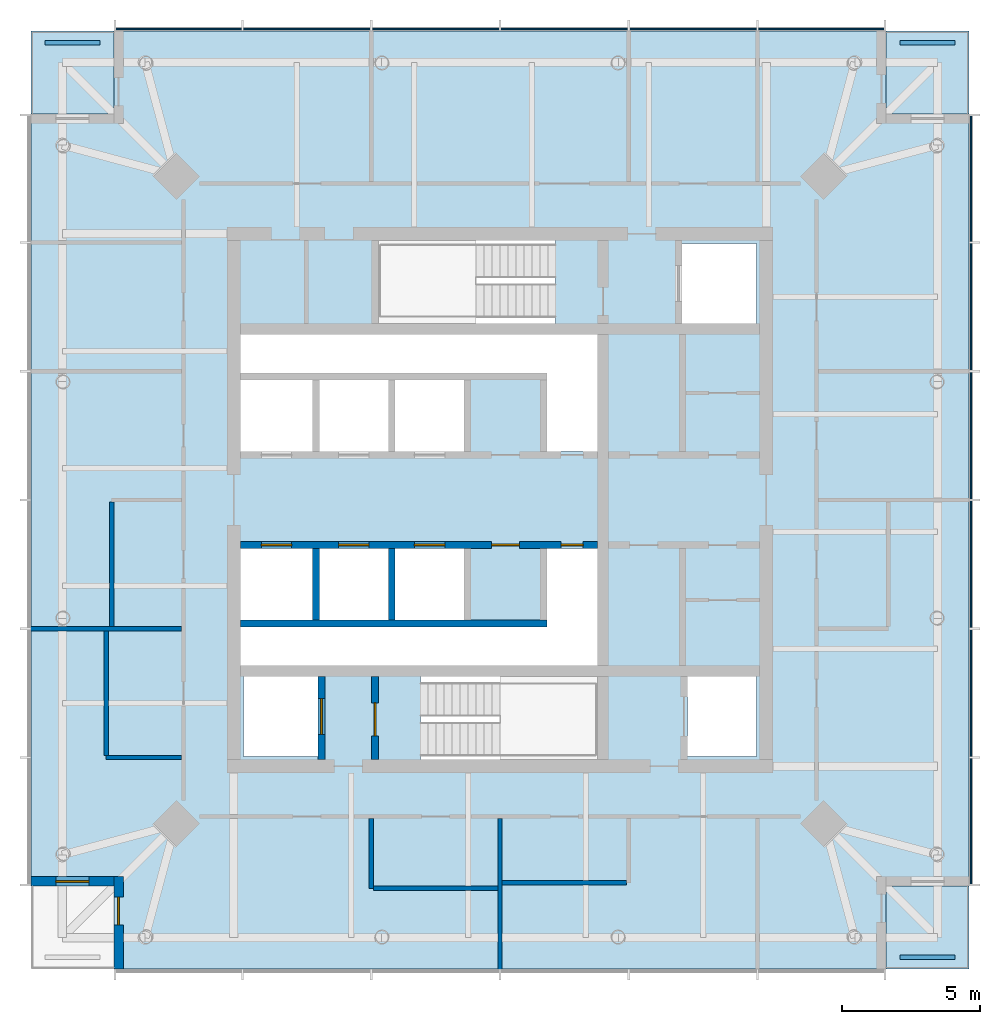
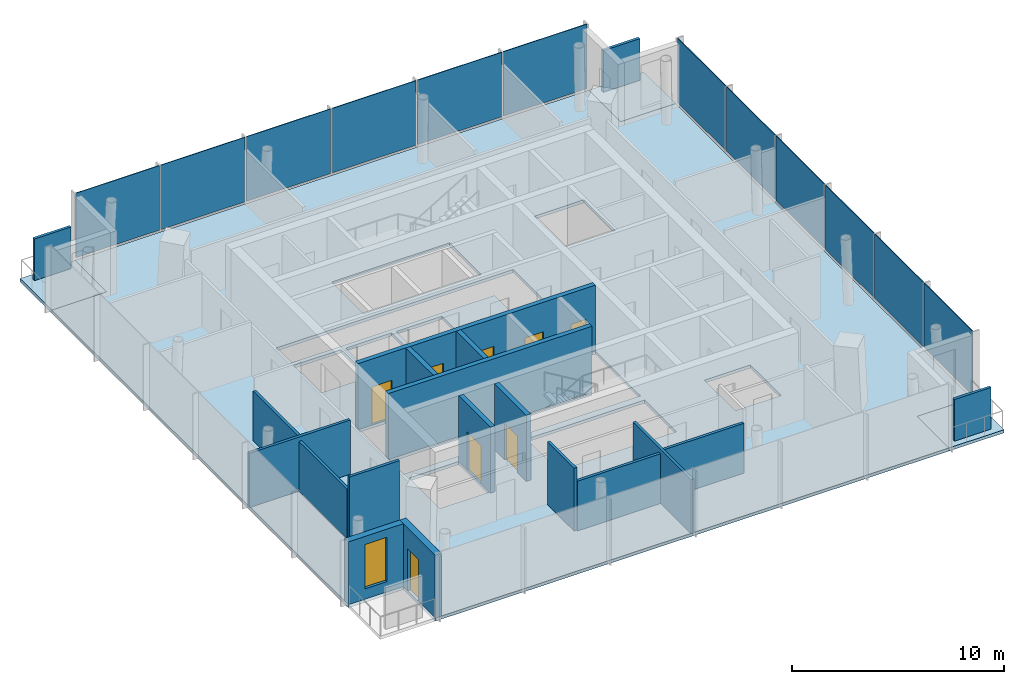
# One storey, part 3 of 7: 16 walls, 15 plates, 8 doors, 4 slabs, 1 window, 9 openings, 2 elements without a shape of their own.
"""IFC4 building model written with IfcOpenShell, lengths in metres."""

from ifc_helpers import new_model, si_unit, direction, frame, frame_2d, origin, origin_2d, place, context, subcontext, project, spatial, polyline, rectangle, outline, extrude, material, layer, layer_set, type_object, element, fill, aggregate, save


model = new_model("IFC4")

# Units and contexts
model_context = context("Model", 3, precision=1e-05, world=origin(), true_north=direction((0.0, 1.0)))
body_context = subcontext(model_context, "Body", "Model", "MODEL_VIEW")
ifc_project = project(units=[si_unit("LENGTHUNIT", "METRE"), si_unit("AREAUNIT", "SQUARE_METRE"), si_unit("VOLUMEUNIT", "CUBIC_METRE"), si_unit("PLANEANGLEUNIT", "RADIAN"), si_unit("MASSUNIT", "GRAM", prefix="KILO")], contexts=[model_context])

# Site, building, storey
site_placement = place(None, origin())
site = spatial("IfcSite", under=ifc_project, at=site_placement, CompositionType="ELEMENT")
building_placement = place(site_placement, origin())
building = spatial("IfcBuilding", under=site, at=building_placement, Name="Ostroluk Exchange", CompositionType="ELEMENT")
storey_placement = place(building_placement, frame((0.0, 0.0, 275.60009765625)))
storey = spatial("IfcBuildingStorey", under=building, at=storey_placement, Name="L71", CompositionType="ELEMENT", Elevation=275.60009765625)

# Slabs
ifc_material_1 = material(Name="Concrete C35/45", Category="concrete")
ifc_layer_1 = layer(ifc_material_1, 0.179931640625)
ifc_layer_set_1 = layer_set([ifc_layer_1], Name="Balcony slab 180")
slab_type_1 = type_object("IfcSlabType", Name="Balcony slab 180", PredefinedType="USERDEFINED", material=ifc_layer_set_1)
slab_1_placement = place(storey_placement, frame((0.0, 0.0, -0.18017578125)))
element("IfcSlab", 1, at=slab_1_placement, inside=storey, type_object=slab_type_1, Name="Office tower SE corner balcony L71", ObjectType="BALCONY", PredefinedType="USERDEFINED", context=body_context, shape_type="SweptSolid", body=[
    extrude(outline(polyline([(59.0, 29.0), (62.0, 29.0), (62.0, 32.0), (59.0, 32.0), (59.0, 29.0)])), origin(), (0.0, 0.0, 1.0), 0.18017578125),
])
slab_2_placement = place(storey_placement, frame((0.0, 0.0, -0.18017578125)))
element("IfcSlab", 2, at=slab_2_placement, inside=storey, type_object=slab_type_1, Name="Office tower NE corner balcony L71", ObjectType="BALCONY", PredefinedType="USERDEFINED", context=body_context, shape_type="SweptSolid", body=[
    extrude(outline(polyline([(59.0, 60.0), (62.0, 60.0), (62.0, 63.0), (59.0, 63.0), (59.0, 60.0)])), origin(), (0.0, 0.0, 1.0), 0.18017578125),
])
slab_3_placement = place(storey_placement, frame((0.0, 0.0, -0.18017578125)))
element("IfcSlab", 3, at=slab_3_placement, inside=storey, type_object=slab_type_1, Name="Office tower NW corner balcony L71", ObjectType="BALCONY", PredefinedType="USERDEFINED", context=body_context, shape_type="SweptSolid", body=[
    extrude(outline(polyline([(28.0, 60.0), (31.0, 60.0), (31.0, 63.0), (28.0, 63.0), (28.0, 60.0)])), origin(), (0.0, 0.0, 1.0), 0.18017578125),
])

# Plates
ifc_material_2 = material(Name="Steel S355 trellis with planting", Category="steel")
ifc_layer_2 = layer(ifc_material_2, 0.14990234375)
ifc_layer_set_2 = layer_set([ifc_layer_2], Name="Planted screen 150")
plate_type_1 = type_object("IfcPlateType", Name="Planted screen 150", PredefinedType="USERDEFINED", material=ifc_layer_set_2)
for number, where, z_axis, x_axis, name in (
    (4, (60.5, 29.425048828125, 0.0), (0.0, 0.0, 1.0), (1.0, 0.0, 0.0), "Office tower SE planted screen L71"),
    (5, (60.5, 62.574951171875, 0.0), (0.0, 0.0, 1.0), (1.0, 0.0, 0.0), "Office tower NE planted screen L71"),
    (6, (29.5, 62.574951171875, 0.0), (0.0, 0.0, 1.0), (1.0, 0.0, 0.0), "Office tower NW planted screen L71"),
):
    element("IfcPlate", number, at=place(storey_placement, frame(where, z_axis=z_axis, x_axis=x_axis)), inside=storey, type_object=plate_type_1, Name=name, ObjectType="PLANTED SCREEN", PredefinedType="USERDEFINED", context=body_context, shape_type="SweptSolid", body=[
        extrude(rectangle(XDim=2.0, YDim=0.14990234375, at=origin_2d()), origin(), (0.0, 0.0, 1.0), 2.39990234375),
    ])

# Slab
ifc_material_3 = material(Name="Concrete C35/45", Category="concrete")
ifc_layer_3 = layer(ifc_material_3, 0.179931640625)
ifc_layer_set_3 = layer_set([ifc_layer_3], Name="Tower floor slab 180 composite")
slab_type_2 = type_object("IfcSlabType", Name="Tower floor slab 180 composite", PredefinedType="FLOOR", material=ifc_layer_set_3)
slab_4_placement = place(storey_placement, frame((0.0, 0.0, -0.18017578125)))
element("IfcSlab", 7, at=slab_4_placement, inside=storey, type_object=slab_type_2, Name="Office tower floor slab L71", PredefinedType="FLOOR", context=body_context, shape_type="SweptSolid", body=[
    extrude(outline(polyline([(31.0, 29.0), (59.0, 29.0), (59.0, 32.0), (62.0, 32.0), (62.0, 60.0), (59.0, 60.0), (59.0, 63.0), (31.0, 63.0), (31.0, 60.0), (28.0, 60.0), (28.0, 32.0), (31.0, 32.0), (31.0, 29.0)]), holes=[polyline([(35.699951171875, 36.699951171875), (38.39990234375, 36.699951171875), (38.39990234375, 39.60009765625), (35.699951171875, 39.60009765625), (35.699951171875, 36.699951171875)]), polyline([(42.110107421875, 36.60009765625), (48.530029296875, 36.60009765625), (48.530029296875, 39.60009765625), (42.110107421875, 39.60009765625), (42.110107421875, 36.60009765625)]), polyline([(51.800048828125, 36.699951171875), (54.300048828125, 36.699951171875), (54.300048828125, 39.60009765625), (51.800048828125, 39.60009765625), (51.800048828125, 36.699951171875)]), polyline([(40.60009765625, 52.39990234375), (47.02001953125, 52.39990234375), (47.02001953125, 55.39990234375), (40.60009765625, 55.39990234375), (40.60009765625, 52.39990234375)]), polyline([(51.60009765625, 52.39990234375), (54.300048828125, 52.39990234375), (54.300048828125, 55.300048828125), (51.60009765625, 55.300048828125), (51.60009765625, 52.39990234375)]), polyline([(35.60009765625, 47.75), (38.199951171875, 47.75), (38.199951171875, 50.35009765625), (35.60009765625, 50.35009765625), (35.60009765625, 47.75)]), polyline([(38.449951171875, 47.75), (40.949951171875, 47.75), (40.949951171875, 50.35009765625), (38.449951171875, 50.35009765625), (38.449951171875, 47.75)]), polyline([(41.199951171875, 47.75), (43.699951171875, 47.75), (43.699951171875, 50.35009765625), (41.199951171875, 50.35009765625), (41.199951171875, 47.75)]), polyline([(35.60009765625, 41.64990234375), (38.199951171875, 41.64990234375), (38.199951171875, 44.25), (35.60009765625, 44.25), (35.60009765625, 41.64990234375)]), polyline([(38.449951171875, 41.64990234375), (40.949951171875, 41.64990234375), (40.949951171875, 44.25), (38.449951171875, 44.25), (38.449951171875, 41.64990234375)]), polyline([(41.199951171875, 41.64990234375), (43.699951171875, 41.64990234375), (43.699951171875, 44.25), (41.199951171875, 44.25), (41.199951171875, 41.64990234375)]), polyline([(48.530029296875, 52.0), (48.530029296875, 47.75), (46.699951171875, 47.75), (46.699951171875, 50.60009765625), (35.60009765625, 50.60009765625), (35.60009765625, 52.0), (48.530029296875, 52.0)]), polyline([(35.60009765625, 40.0), (35.60009765625, 41.39990234375), (46.699951171875, 41.39990234375), (46.699951171875, 44.25), (48.530029296875, 44.25), (48.530029296875, 40.0), (35.60009765625, 40.0)])]), origin(), (0.0, 0.0, 1.0), 0.18017578125),
])

# Curtain wall, plates
ifc_material_4 = material(Name="Laminated clear glass", Category="glass")
curtain_wall_type = type_object("IfcCurtainWallType", Name="Office tower facade", PredefinedType="USERDEFINED", material=ifc_material_4)
curtain_wall_1_placement = place(storey_placement, origin())
curtain_wall_1 = element("IfcCurtainWall", 8, at=curtain_wall_1_placement, inside=storey, type_object=curtain_wall_type, Name="Office tower east facade L71", ObjectType="UNITISED CURTAIN WALL", PredefinedType="USERDEFINED")
ifc_material_5 = material(Name="Laminated clear glass", Category="glass")
ifc_layer_4 = layer(ifc_material_5, 0.0439453125)
ifc_layer_set_4 = layer_set([ifc_layer_4], Name="Triple laminated clear glazing 44")
plate_type_2 = type_object("IfcPlateType", Name="Triple laminated clear glazing 44", PredefinedType="CURTAIN_PANEL", material=ifc_layer_set_4)
plate_1_placement = place(storey_placement, frame((62.074951171875, 34.353271484375, 0.080078125), z_axis=(0.0, 0.0, 1.0), x_axis=(0.0, 1.0, 0.0)))
plate_1 = element("IfcPlate", 9, at=plate_1_placement, type_object=plate_type_2, Name="CW-O1 panel 1.1", PredefinedType="CURTAIN_PANEL", context=body_context, shape_type="SweptSolid", body=[
    extrude(rectangle(XDim=4.546630859375, YDim=0.0439453125, at=origin_2d()), origin(), (0.0, 0.0, 1.0), 3.719970703125),
])
plate_2_placement = place(storey_placement, frame((62.074951171875, 39.0, 0.080078125), z_axis=(0.0, 0.0, 1.0), x_axis=(0.0, 1.0, 0.0)))
plate_2 = element("IfcPlate", 10, at=plate_2_placement, type_object=plate_type_2, Name="CW-O1 panel 2.1", PredefinedType="CURTAIN_PANEL", context=body_context, shape_type="SweptSolid", body=[
    extrude(rectangle(XDim=4.586669921875, YDim=0.0439453125, at=origin_2d()), origin(), (0.0, 0.0, 1.0), 3.719970703125),
])
plate_3_placement = place(storey_placement, frame((62.074951171875, 43.666748046875, 0.080078125), z_axis=(0.0, 0.0, 1.0), x_axis=(0.0, 1.0, 0.0)))
plate_3 = element("IfcPlate", 11, at=plate_3_placement, type_object=plate_type_2, Name="CW-O1 panel 3.1", PredefinedType="CURTAIN_PANEL", context=body_context, shape_type="SweptSolid", body=[
    extrude(rectangle(XDim=4.586669921875, YDim=0.0439453125, at=origin_2d()), origin(), (0.0, 0.0, 1.0), 3.719970703125),
])
plate_4_placement = place(storey_placement, frame((62.074951171875, 48.333251953125, 0.080078125), z_axis=(0.0, 0.0, 1.0), x_axis=(0.0, 1.0, 0.0)))
plate_4 = element("IfcPlate", 12, at=plate_4_placement, type_object=plate_type_2, Name="CW-O1 panel 4.1", PredefinedType="CURTAIN_PANEL", context=body_context, shape_type="SweptSolid", body=[
    extrude(rectangle(XDim=4.586669921875, YDim=0.0439453125, at=origin_2d()), origin(), (0.0, 0.0, 1.0), 3.719970703125),
])
plate_5_placement = place(storey_placement, frame((62.074951171875, 53.0, 0.080078125), z_axis=(0.0, 0.0, 1.0), x_axis=(0.0, 1.0, 0.0)))
plate_5 = element("IfcPlate", 13, at=plate_5_placement, type_object=plate_type_2, Name="CW-O1 panel 5.1", PredefinedType="CURTAIN_PANEL", context=body_context, shape_type="SweptSolid", body=[
    extrude(rectangle(XDim=4.586669921875, YDim=0.0439453125, at=origin_2d()), origin(), (0.0, 0.0, 1.0), 3.719970703125),
])
plate_6_placement = place(storey_placement, frame((62.074951171875, 57.646728515625, 0.080078125), z_axis=(0.0, 0.0, 1.0), x_axis=(0.0, 1.0, 0.0)))
plate_6 = element("IfcPlate", 14, at=plate_6_placement, type_object=plate_type_2, Name="CW-O1 panel 6.1", PredefinedType="CURTAIN_PANEL", context=body_context, shape_type="SweptSolid", body=[
    extrude(rectangle(XDim=4.546630859375, YDim=0.0439453125, at=origin_2d()), origin(), (0.0, 0.0, 1.0), 3.719970703125),
])
aggregate(curtain_wall_1, [plate_1, plate_2, plate_3, plate_4, plate_5, plate_6])

curtain_wall_2_placement = place(storey_placement, origin())
curtain_wall_2 = element("IfcCurtainWall", 15, at=curtain_wall_2_placement, inside=storey, type_object=curtain_wall_type, Name="Office tower north facade L71", ObjectType="UNITISED CURTAIN WALL", PredefinedType="USERDEFINED")
plate_7_placement = place(storey_placement, frame((56.646728515625, 63.074951171875, 0.080078125), z_axis=(0.0, 0.0, 1.0), x_axis=(-1.0, 0.0, 0.0)))
plate_7 = element("IfcPlate", 16, at=plate_7_placement, type_object=plate_type_2, Name="CW-O1 panel 1.1", PredefinedType="CURTAIN_PANEL", context=body_context, shape_type="SweptSolid", body=[
    extrude(rectangle(XDim=4.546630859375, YDim=0.0439453125, at=origin_2d()), origin(), (0.0, 0.0, 1.0), 3.719970703125),
])
plate_8_placement = place(storey_placement, frame((52.0, 63.074951171875, 0.080078125), z_axis=(0.0, 0.0, 1.0), x_axis=(-1.0, 0.0, 0.0)))
plate_8 = element("IfcPlate", 17, at=plate_8_placement, type_object=plate_type_2, Name="CW-O1 panel 2.1", PredefinedType="CURTAIN_PANEL", context=body_context, shape_type="SweptSolid", body=[
    extrude(rectangle(XDim=4.586669921875, YDim=0.0439453125, at=origin_2d()), origin(), (0.0, 0.0, 1.0), 3.719970703125),
])
plate_9_placement = place(storey_placement, frame((47.333251953125, 63.074951171875, 0.080078125), z_axis=(0.0, 0.0, 1.0), x_axis=(-1.0, 0.0, 0.0)))
plate_9 = element("IfcPlate", 18, at=plate_9_placement, type_object=plate_type_2, Name="CW-O1 panel 3.1", PredefinedType="CURTAIN_PANEL", context=body_context, shape_type="SweptSolid", body=[
    extrude(rectangle(XDim=4.586669921875, YDim=0.0439453125, at=origin_2d()), origin(), (0.0, 0.0, 1.0), 3.719970703125),
])
plate_10_placement = place(storey_placement, frame((42.666748046875, 63.074951171875, 0.080078125), z_axis=(0.0, 0.0, 1.0), x_axis=(-1.0, 0.0, 0.0)))
plate_10 = element("IfcPlate", 19, at=plate_10_placement, type_object=plate_type_2, Name="CW-O1 panel 4.1", PredefinedType="CURTAIN_PANEL", context=body_context, shape_type="SweptSolid", body=[
    extrude(rectangle(XDim=4.586669921875, YDim=0.0439453125, at=origin_2d()), origin(), (0.0, 0.0, 1.0), 3.719970703125),
])
plate_11_placement = place(storey_placement, frame((38.0, 63.074951171875, 0.080078125), z_axis=(0.0, 0.0, 1.0), x_axis=(-1.0, 0.0, 0.0)))
plate_11 = element("IfcPlate", 20, at=plate_11_placement, type_object=plate_type_2, Name="CW-O1 panel 5.1", PredefinedType="CURTAIN_PANEL", context=body_context, shape_type="SweptSolid", body=[
    extrude(rectangle(XDim=4.586669921875, YDim=0.0439453125, at=origin_2d()), origin(), (0.0, 0.0, 1.0), 3.719970703125),
])
plate_12_placement = place(storey_placement, frame((33.353271484375, 63.074951171875, 0.080078125), z_axis=(0.0, 0.0, 1.0), x_axis=(-1.0, 0.0, 0.0)))
plate_12 = element("IfcPlate", 21, at=plate_12_placement, type_object=plate_type_2, Name="CW-O1 panel 6.1", PredefinedType="CURTAIN_PANEL", context=body_context, shape_type="SweptSolid", body=[
    extrude(rectangle(XDim=4.546630859375, YDim=0.0439453125, at=origin_2d()), origin(), (0.0, 0.0, 1.0), 3.719970703125),
])
aggregate(curtain_wall_2, [plate_7, plate_8, plate_9, plate_10, plate_11, plate_12])

# Wall, opening, door
ifc_material_6 = material(Name="Concrete C40/50", Category="concrete")
ifc_layer_5 = layer(ifc_material_6, 0.25)
ifc_layer_set_5 = layer_set([ifc_layer_5], Name="Core shaft wall 250")
wall_type_1 = type_object("IfcWallType", Name="Core shaft wall 250", PredefinedType="SHEAR", material=ifc_layer_set_5)
wall_1_placement = place(storey_placement, frame((38.52490234375, 36.60009765625, 0.0), z_axis=(0.0, 0.0, 1.0), x_axis=(0.0, 1.0, 0.0)))
wall_1 = element("IfcWall", 22, at=wall_1_placement, inside=storey, type_object=wall_type_1, Name="Firefighting lift shaft wall", PredefinedType="SHEAR", context=body_context, shape_type="SweptSolid", body=[
    extrude(rectangle(XDim=3.0, YDim=0.25, at=frame_2d((1.5, 0.0))), origin(), (0.0, 0.0, 1.0), 3.7998046875),
])
opening_1_placement = place(wall_1_placement, frame((0.89990234375, 0.0, 0.0)))
opening_1 = element("IfcOpeningElement", 23, at=opening_1_placement, cuts=wall_1, Name="Opening LD2", PredefinedType="OPENING", context=body_context, shape_type="SweptSolid", body=[
    extrude(rectangle(XDim=1.300048828125, YDim=2.199951171875, at=frame_2d((0.64990234375, 1.10009765625))), frame((0.0, 0.135009765625, 0.0), z_axis=(0.0, -1.0, 0.0), x_axis=(1.0, 0.0, 0.0)), (0.0, 0.0, 1.0), 0.27001953125),
])
ifc_material_7 = material(Name="Stainless steel", Category="steel")
door_type_1 = type_object("IfcDoorType", Name="Lift landing door E 60 1300 x 2200", OperationType="DOUBLE_DOOR_SLIDING", PredefinedType="DOOR", material=ifc_material_7)
door_1_placement = place(opening_1_placement, origin())
door_1 = element("IfcDoor", 24, at=door_1_placement, inside=storey, type_object=door_type_1, Name="Lift FL1 landing door", OperationType="DOUBLE_DOOR_SLIDING", OverallHeight=2.199951171875, OverallWidth=1.300048828125, PredefinedType="DOOR", context=body_context, shape_type="SweptSolid", body=[
    extrude(rectangle(XDim=1.300048828125, YDim=2.199951171875, at=frame_2d((0.64990234375, 1.10009765625))), frame((0.0, 0.02490234375, 0.0), z_axis=(0.0, -1.0, 0.0), x_axis=(1.0, 0.0, 0.0)), (0.0, 0.0, 1.0), 0.050048828125),
])
fill(opening_1, door_1)

wall_2_placement = place(storey_placement, frame((40.47509765625, 36.60009765625, 0.0), z_axis=(0.0, 0.0, 1.0), x_axis=(0.0, 1.0, 0.0)))
wall_2 = element("IfcWall", 25, at=wall_2_placement, inside=storey, type_object=wall_type_1, Name="Stair shaft wall", PredefinedType="SHEAR", context=body_context, shape_type="SweptSolid", body=[
    extrude(rectangle(XDim=3.0, YDim=0.25, at=frame_2d((1.5, 0.0))), origin(), (0.0, 0.0, 1.0), 3.7998046875),
])
opening_2_placement = place(wall_2_placement, frame((0.85009765625, 0.0, 0.0)))
opening_2 = element("IfcOpeningElement", 26, at=opening_2_placement, cuts=wall_2, Name="Opening FD60S", PredefinedType="OPENING", context=body_context, shape_type="SweptSolid", body=[
    extrude(rectangle(XDim=1.199951171875, YDim=2.10009765625, at=frame_2d((0.60009765625, 1.050048828125))), frame((0.0, 0.135009765625, 0.0), z_axis=(0.0, -1.0, 0.0), x_axis=(1.0, 0.0, 0.0)), (0.0, 0.0, 1.0), 0.27001953125),
])
ifc_material_8 = material(Name="Steel", Category="steel")
door_type_2 = type_object("IfcDoorType", Name="Stair door EI 60 1200 x 2100", OperationType="SINGLE_SWING_LEFT", PredefinedType="DOOR", material=ifc_material_8)
door_2_placement = place(opening_2_placement, origin())
door_2 = element("IfcDoor", 27, at=door_2_placement, inside=storey, type_object=door_type_2, Name="Stair T1-S1 door", OperationType="SINGLE_SWING_LEFT", OverallHeight=2.10009765625, OverallWidth=1.199951171875, PredefinedType="DOOR", context=body_context, shape_type="SweptSolid", body=[
    extrude(rectangle(XDim=1.199951171875, YDim=2.10009765625, at=frame_2d((0.60009765625, 1.050048828125))), frame((0.0, 0.02490234375, 0.0), z_axis=(0.0, -1.0, 0.0), x_axis=(1.0, 0.0, 0.0)), (0.0, 0.0, 1.0), 0.050048828125),
])
fill(opening_2, door_2)

# Walls
for number, where, z_axis, x_axis, name in (
    (28, (38.324951171875, 44.25, 0.0), (0.0, 0.0, 1.0), (0.0, -1.0, 0.0), "Lift shaft wall"),
    (29, (41.074951171875, 44.25, 0.0), (0.0, 0.0, 1.0), (0.0, -1.0, 0.0), "Lift shaft wall"),
):
    element("IfcWall", number, at=place(storey_placement, frame(where, z_axis=z_axis, x_axis=x_axis)), inside=storey, type_object=wall_type_1, Name=name, PredefinedType="SHEAR", context=body_context, shape_type="SweptSolid", body=[
        extrude(rectangle(XDim=2.60009765625, YDim=0.25, at=frame_2d((1.300048828125, 0.0))), origin(), (0.0, 0.0, 1.0), 3.7998046875),
    ])
wall_3_placement = place(storey_placement, frame((35.60009765625, 41.52490234375, 0.0), z_axis=(0.0, 0.0, 1.0), x_axis=(1.0, 0.0, 0.0)))
element("IfcWall", 30, at=wall_3_placement, inside=storey, type_object=wall_type_1, Name="Lift shaft wall", PredefinedType="SHEAR", context=body_context, shape_type="SweptSolid", body=[
    extrude(rectangle(XDim=11.099853515625, YDim=0.25, at=frame_2d((5.5498046875, 0.0))), origin(), (0.0, 0.0, 1.0), 3.7998046875),
])

# Wall, openings, doors
wall_4_placement = place(storey_placement, frame((35.60009765625, 44.375, 0.0), z_axis=(0.0, 0.0, 1.0), x_axis=(1.0, 0.0, 0.0)))
wall_4 = element("IfcWall", 31, at=wall_4_placement, inside=storey, type_object=wall_type_1, Name="Lift shaft front wall", PredefinedType="SHEAR", context=body_context, shape_type="SweptSolid", body=[
    extrude(rectangle(XDim=12.929931640625, YDim=0.25, at=frame_2d((6.46484375, 0.0))), origin(), (0.0, 0.0, 1.0), 3.7998046875),
])
opening_3_placement = place(wall_4_placement, frame((0.75, 0.0, 0.0)))
opening_3 = element("IfcOpeningElement", 32, at=opening_3_placement, cuts=wall_4, Name="Opening LD", PredefinedType="OPENING", context=body_context, shape_type="SweptSolid", body=[
    extrude(rectangle(XDim=1.10009765625, YDim=2.199951171875, at=frame_2d((0.550048828125, 1.10009765625))), frame((0.0, 0.135009765625, 0.0), z_axis=(0.0, -1.0, 0.0), x_axis=(1.0, 0.0, 0.0)), (0.0, 0.0, 1.0), 0.27001953125),
])
opening_4_placement = place(wall_4_placement, frame((3.550048828125, 0.0, 0.0)))
opening_4 = element("IfcOpeningElement", 33, at=opening_4_placement, cuts=wall_4, Name="Opening LD", PredefinedType="OPENING", context=body_context, shape_type="SweptSolid", body=[
    extrude(rectangle(XDim=1.10009765625, YDim=2.199951171875, at=frame_2d((0.550048828125, 1.10009765625))), frame((0.0, 0.135009765625, 0.0), z_axis=(0.0, -1.0, 0.0), x_axis=(1.0, 0.0, 0.0)), (0.0, 0.0, 1.0), 0.27001953125),
])
opening_5_placement = place(wall_4_placement, frame((6.300048828125, 0.0, 0.0)))
opening_5 = element("IfcOpeningElement", 34, at=opening_5_placement, cuts=wall_4, Name="Opening LD", PredefinedType="OPENING", context=body_context, shape_type="SweptSolid", body=[
    extrude(rectangle(XDim=1.10009765625, YDim=2.199951171875, at=frame_2d((0.550048828125, 1.10009765625))), frame((0.0, 0.135009765625, 0.0), z_axis=(0.0, -1.0, 0.0), x_axis=(1.0, 0.0, 0.0)), (0.0, 0.0, 1.0), 0.27001953125),
])
opening_6_placement = place(wall_4_placement, frame((9.10009765625, 0.0, 0.0)))
opening_6 = element("IfcOpeningElement", 35, at=opening_6_placement, cuts=wall_4, Name="Opening FD60", PredefinedType="OPENING", context=body_context, shape_type="SweptSolid", body=[
    extrude(rectangle(XDim=1.0, YDim=2.10009765625, at=frame_2d((0.5, 1.050048828125))), frame((0.0, 0.135009765625, 0.0), z_axis=(0.0, -1.0, 0.0), x_axis=(1.0, 0.0, 0.0)), (0.0, 0.0, 1.0), 0.27001953125),
])
opening_7_placement = place(wall_4_placement, frame((11.614990234375, 0.0, 0.0)))
opening_7 = element("IfcOpeningElement", 36, at=opening_7_placement, cuts=wall_4, Name="Opening RD60", PredefinedType="OPENING", context=body_context, shape_type="SweptSolid", body=[
    extrude(rectangle(XDim=0.800048828125, YDim=2.0, at=frame_2d((0.39990234375, 1.0))), frame((0.0, 0.135009765625, 0.0), z_axis=(0.0, -1.0, 0.0), x_axis=(1.0, 0.0, 0.0)), (0.0, 0.0, 1.0), 0.27001953125),
])
ifc_material_9 = material(Name="Steel", Category="steel")
door_type_3 = type_object("IfcDoorType", Name="Fire door EI 60 1000 x 2100", OperationType="SINGLE_SWING_LEFT", PredefinedType="DOOR", material=ifc_material_9)
door_3_placement = place(opening_6_placement, origin())
door_3 = element("IfcDoor", 37, at=door_3_placement, inside=storey, type_object=door_type_3, Name="Core room door", OperationType="SINGLE_SWING_RIGHT", OverallHeight=2.10009765625, OverallWidth=1.0, PredefinedType="DOOR", context=body_context, shape_type="SweptSolid", body=[
    extrude(rectangle(XDim=1.0, YDim=2.10009765625, at=frame_2d((0.5, 1.050048828125))), frame((0.0, 0.02490234375, 0.0), z_axis=(0.0, -1.0, 0.0), x_axis=(1.0, 0.0, 0.0)), (0.0, 0.0, 1.0), 0.050048828125),
])
fill(opening_6, door_3)
ifc_material_10 = material(Name="Stainless steel", Category="steel")
door_type_4 = type_object("IfcDoorType", Name="Lift landing door E 60 1100 x 2200", OperationType="DOUBLE_DOOR_SLIDING", PredefinedType="DOOR", material=ifc_material_10)
door_4_placement = place(opening_3_placement, origin())
door_4 = element("IfcDoor", 38, at=door_4_placement, inside=storey, type_object=door_type_4, Name="Lift PL-T4 landing door", OperationType="DOUBLE_DOOR_SLIDING", OverallHeight=2.199951171875, OverallWidth=1.10009765625, PredefinedType="DOOR", context=body_context, shape_type="SweptSolid", body=[
    extrude(rectangle(XDim=1.10009765625, YDim=2.199951171875, at=frame_2d((0.550048828125, 1.10009765625))), frame((0.0, 0.02490234375, 0.0), z_axis=(0.0, -1.0, 0.0), x_axis=(1.0, 0.0, 0.0)), (0.0, 0.0, 1.0), 0.050048828125),
])
fill(opening_3, door_4)
door_5_placement = place(opening_4_placement, origin())
door_5 = element("IfcDoor", 39, at=door_5_placement, inside=storey, type_object=door_type_4, Name="Lift PL-T5 landing door", OperationType="DOUBLE_DOOR_SLIDING", OverallHeight=2.199951171875, OverallWidth=1.10009765625, PredefinedType="DOOR", context=body_context, shape_type="SweptSolid", body=[
    extrude(rectangle(XDim=1.10009765625, YDim=2.199951171875, at=frame_2d((0.550048828125, 1.10009765625))), frame((0.0, 0.02490234375, 0.0), z_axis=(0.0, -1.0, 0.0), x_axis=(1.0, 0.0, 0.0)), (0.0, 0.0, 1.0), 0.050048828125),
])
fill(opening_4, door_5)
door_6_placement = place(opening_5_placement, origin())
door_6 = element("IfcDoor", 40, at=door_6_placement, inside=storey, type_object=door_type_4, Name="Lift PL-T6 landing door", OperationType="DOUBLE_DOOR_SLIDING", OverallHeight=2.199951171875, OverallWidth=1.10009765625, PredefinedType="DOOR", context=body_context, shape_type="SweptSolid", body=[
    extrude(rectangle(XDim=1.10009765625, YDim=2.199951171875, at=frame_2d((0.550048828125, 1.10009765625))), frame((0.0, 0.02490234375, 0.0), z_axis=(0.0, -1.0, 0.0), x_axis=(1.0, 0.0, 0.0)), (0.0, 0.0, 1.0), 0.050048828125),
])
fill(opening_5, door_6)
ifc_material_11 = material(Name="Steel", Category="steel")
door_type_5 = type_object("IfcDoorType", Name="Riser access door EI 60 800 x 2000", OperationType="SINGLE_SWING_LEFT", PredefinedType="DOOR", material=ifc_material_11)
door_7_placement = place(opening_7_placement, origin())
door_7 = element("IfcDoor", 41, at=door_7_placement, inside=storey, type_object=door_type_5, Name="Riser access door", OperationType="SINGLE_SWING_RIGHT", OverallHeight=2.0, OverallWidth=0.800048828125, PredefinedType="DOOR", context=body_context, shape_type="SweptSolid", body=[
    extrude(rectangle(XDim=0.800048828125, YDim=2.0, at=frame_2d((0.39990234375, 1.0))), frame((0.0, 0.02490234375, 0.0), z_axis=(0.0, -1.0, 0.0), x_axis=(1.0, 0.0, 0.0)), (0.0, 0.0, 1.0), 0.050048828125),
])
fill(opening_7, door_7)

# Wall, opening, door
ifc_material_12 = material(Name="Limestone", Category="masonry")
ifc_layer_6 = layer(ifc_material_12, 0.35009765625)
ifc_layer_set_6 = layer_set([ifc_layer_6], Name="Limestone facade wall 350")
wall_type_2 = type_object("IfcWallType", Name="Limestone facade wall 350", PredefinedType="SOLIDWALL", material=ifc_layer_set_6)
wall_5_placement = place(storey_placement, frame((31.175048828125, 29.0, 0.0), z_axis=(0.0, 0.0, 1.0), x_axis=(0.0, 1.0, 0.0)))
wall_5 = element("IfcWall", 42, at=wall_5_placement, inside=storey, type_object=wall_type_2, Name="Office tower SW corner wall L71 a", PredefinedType="SOLIDWALL", context=body_context, shape_type="SweptSolid", body=[
    extrude(rectangle(XDim=3.35009765625, YDim=0.35009765625, at=frame_2d((1.675048828125, 0.0))), origin(), (0.0, 0.0, 1.0), 3.619873046875),
])
opening_8_placement = place(wall_5_placement, frame((1.60009765625, 0.0, 0.0)))
opening_8 = element("IfcOpeningElement", 43, at=opening_8_placement, cuts=wall_5, Name="Opening D-B1", PredefinedType="OPENING", context=body_context, shape_type="SweptSolid", body=[
    extrude(rectangle(XDim=1.0, YDim=2.39990234375, at=frame_2d((0.5, 1.199951171875))), frame((0.0, 0.18505859375, 0.0), z_axis=(0.0, -1.0, 0.0), x_axis=(1.0, 0.0, 0.0)), (0.0, 0.0, 1.0), 0.3701171875),
])
ifc_material_13 = material(Name="Bronze framed glazed door", Category="aluminium")
door_type_6 = type_object("IfcDoorType", Name="Balcony door 1000 x 2400", OperationType="SINGLE_SWING_LEFT", PredefinedType="DOOR", material=ifc_material_13)
door_8_placement = place(opening_8_placement, origin())
door_8 = element("IfcDoor", 44, at=door_8_placement, inside=storey, type_object=door_type_6, Name="Office tower SW balcony door L71", OperationType="SINGLE_SWING_RIGHT", OverallHeight=2.39990234375, OverallWidth=1.0, PredefinedType="DOOR", context=body_context, shape_type="SweptSolid", body=[
    extrude(rectangle(XDim=1.0, YDim=2.39990234375, at=frame_2d((0.5, 1.199951171875))), frame((0.0, 0.02490234375, 0.0), z_axis=(0.0, -1.0, 0.0), x_axis=(1.0, 0.0, 0.0)), (0.0, 0.0, 1.0), 0.050048828125),
])
fill(opening_8, door_8)

# Wall, opening, window
wall_6_placement = place(storey_placement, frame((31.0, 32.175048828125, 0.0), z_axis=(0.0, 0.0, 1.0), x_axis=(-1.0, 0.0, 0.0)))
wall_6 = element("IfcWall", 45, at=wall_6_placement, inside=storey, type_object=wall_type_2, Name="Office tower SW corner wall L71 b", PredefinedType="SOLIDWALL", context=body_context, shape_type="SweptSolid", body=[
    extrude(rectangle(XDim=3.0, YDim=0.35009765625, at=frame_2d((1.5, 0.0))), origin(), (0.0, 0.0, 1.0), 3.619873046875),
])
opening_9_placement = place(wall_6_placement, frame((0.89990234375, 0.0, 0.60009765625)))
opening_9 = element("IfcOpeningElement", 46, at=opening_9_placement, cuts=wall_6, Name="Opening WN-L1", PredefinedType="OPENING", context=body_context, shape_type="SweptSolid", body=[
    extrude(rectangle(XDim=1.199951171875, YDim=2.550048828125, at=frame_2d((0.60009765625, 1.27490234375))), frame((0.0, 0.18505859375, 0.0), z_axis=(0.0, -1.0, 0.0), x_axis=(1.0, 0.0, 0.0)), (0.0, 0.0, 1.0), 0.3701171875),
])
ifc_material_14 = material(Name="Laminated clear glass", Category="glass")
window_type = type_object("IfcWindowType", Name="Lancet window 1200 x 2550", PartitioningType="SINGLE_PANEL", PredefinedType="WINDOW", material=ifc_material_14)
window_placement = place(opening_9_placement, origin())
window = element("IfcWindow", 47, at=window_placement, inside=storey, type_object=window_type, Name="Office tower SW lancet window L71", OverallHeight=2.550048828125, OverallWidth=1.199951171875, PartitioningType="SINGLE_PANEL", PredefinedType="WINDOW", context=body_context, shape_type="SweptSolid", body=[
    extrude(rectangle(XDim=1.199951171875, YDim=2.550048828125, at=frame_2d((0.60009765625, 1.27490234375))), frame((0.0, 0.030029296875, 0.0), z_axis=(0.0, -1.0, 0.0), x_axis=(1.0, 0.0, 0.0)), (0.0, 0.0, 1.0), 0.06005859375),
])
fill(opening_9, window)

# Walls
ifc_material_15 = material(Name="Gypsum plasterboard partition", Category="gypsum")
ifc_layer_7 = layer(ifc_material_15, 0.14990234375)
ifc_layer_set_7 = layer_set([ifc_layer_7], Name="Plasterboard partition 150")
wall_type_3 = type_object("IfcWallType", Name="Plasterboard partition 150", PredefinedType="PARTITIONING", material=ifc_layer_set_7)
wall_7_placement = place(storey_placement, frame((33.449951171875, 41.333251953125, 0.0), z_axis=(0.0, 0.0, 1.0), x_axis=(-1.0, 0.0, 0.0)))
element("IfcWall", 48, at=wall_7_placement, inside=storey, type_object=wall_type_3, Name="Partition", PredefinedType="PARTITIONING", context=body_context, shape_type="SweptSolid", body=[
    extrude(rectangle(XDim=5.489990234375, YDim=0.14990234375, at=frame_2d((2.7451171875, 0.0))), origin(), (0.0, 0.0, 1.0), 3.119873046875),
])
wall_8_placement = place(storey_placement, frame((33.449951171875, 36.666748046875, 0.0), z_axis=(0.0, 0.0, 1.0), x_axis=(-1.0, 0.0, 0.0)))
element("IfcWall", 49, at=wall_8_placement, inside=storey, type_object=wall_type_3, Name="Partition", PredefinedType="PARTITIONING", context=body_context, shape_type="SweptSolid", body=[
    extrude(rectangle(XDim=2.724853515625, YDim=0.14990234375, at=frame_2d((1.3623046875, 0.0))), origin(), (0.0, 0.0, 1.0), 3.619873046875),
])
for number, where, z_axis, x_axis, name in (
    (50, (40.408447265625, 31.925048828125, 0.0), (0.0, 0.0, 1.0), (1.0, 0.0, 0.0), "Partition"),
    (51, (45.074951171875, 32.125, 0.0), (0.0, 0.0, 1.0), (1.0, 0.0, 0.0), "Partition"),
):
    element("IfcWall", number, at=place(storey_placement, frame(where, z_axis=z_axis, x_axis=x_axis)), inside=storey, type_object=wall_type_3, Name=name, PredefinedType="PARTITIONING", context=body_context, shape_type="SweptSolid", body=[
        extrude(rectangle(XDim=4.5166015625, YDim=0.14990234375, at=frame_2d((2.25830078125, 0.0))), origin(), (0.0, 0.0, 1.0), 2.866943359375),
    ])
wall_9_placement = place(storey_placement, frame((40.333251953125, 34.449951171875, 0.0), z_axis=(0.0, 0.0, 1.0), x_axis=(0.0, -1.0, 0.0)))
element("IfcWall", 52, at=wall_9_placement, inside=storey, type_object=wall_type_3, Name="Partition", PredefinedType="PARTITIONING", context=body_context, shape_type="SweptSolid", body=[
    extrude(rectangle(XDim=2.52490234375, YDim=0.14990234375, at=frame_2d((1.262451171875, 0.0))), origin(), (0.0, 0.0, 1.0), 3.619873046875),
])
wall_10_placement = place(storey_placement, frame((45.0, 34.449951171875, 0.0), z_axis=(0.0, 0.0, 1.0), x_axis=(0.0, -1.0, 0.0)))
element("IfcWall", 53, at=wall_10_placement, inside=storey, type_object=wall_type_3, Name="Partition", PredefinedType="PARTITIONING", context=body_context, shape_type="SweptSolid", body=[
    extrude(rectangle(XDim=5.489990234375, YDim=0.14990234375, at=frame_2d((2.7451171875, 0.0))), origin(), (0.0, 0.0, 1.0), 3.119873046875),
])
ifc_material_16 = material(Name="Gypsum plasterboard partition, moisture resistant", Category="gypsum")
ifc_layer_8 = layer(ifc_material_16, 0.14990234375)
ifc_layer_set_8 = layer_set([ifc_layer_8], Name="Plasterboard toilet partition 150")
wall_type_4 = type_object("IfcWallType", Name="Plasterboard toilet partition 150", PredefinedType="PARTITIONING", material=ifc_layer_set_8)
for number, where, z_axis, x_axis, name in (
    (54, (30.925048828125, 45.925048828125, 0.0), (0.0, 0.0, 1.0), (0.0, -1.0, 0.0), "Toilet partition"),
    (55, (30.72509765625, 41.25830078125, 0.0), (0.0, 0.0, 1.0), (0.0, -1.0, 0.0), "Toilet partition"),
):
    element("IfcWall", number, at=place(storey_placement, frame(where, z_axis=z_axis, x_axis=x_axis)), inside=storey, type_object=wall_type_4, Name=name, PredefinedType="PARTITIONING", context=body_context, shape_type="SweptSolid", body=[
        extrude(rectangle(XDim=4.5166015625, YDim=0.14990234375, at=frame_2d((2.25830078125, 0.0))), origin(), (0.0, 0.0, 1.0), 2.866943359375),
    ])

save(model, "model.ifc")
